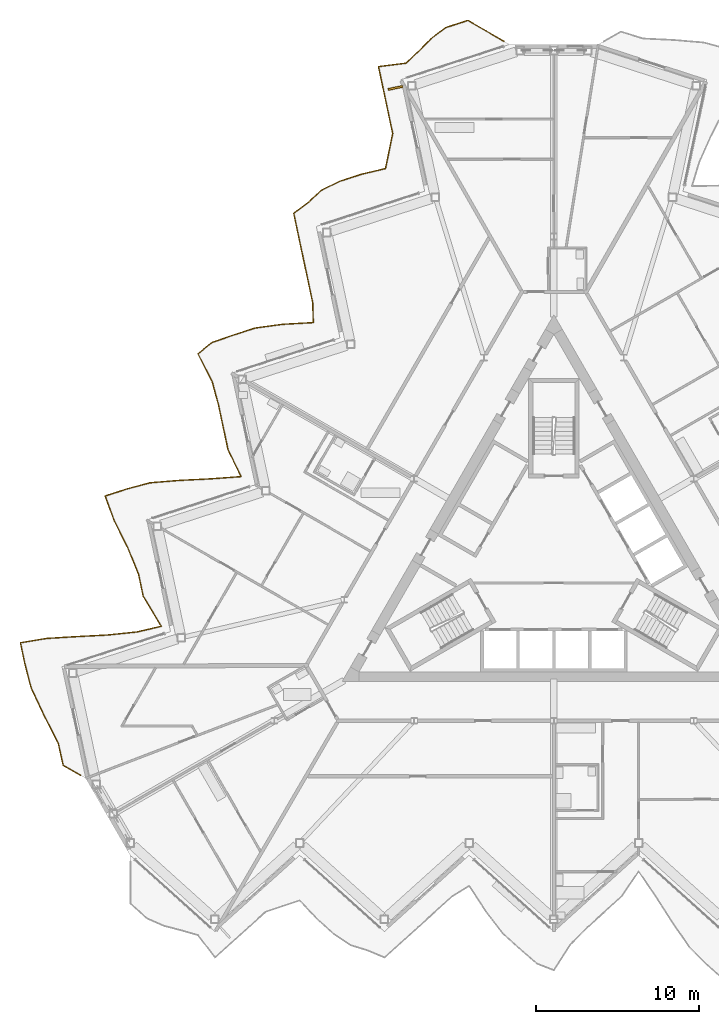
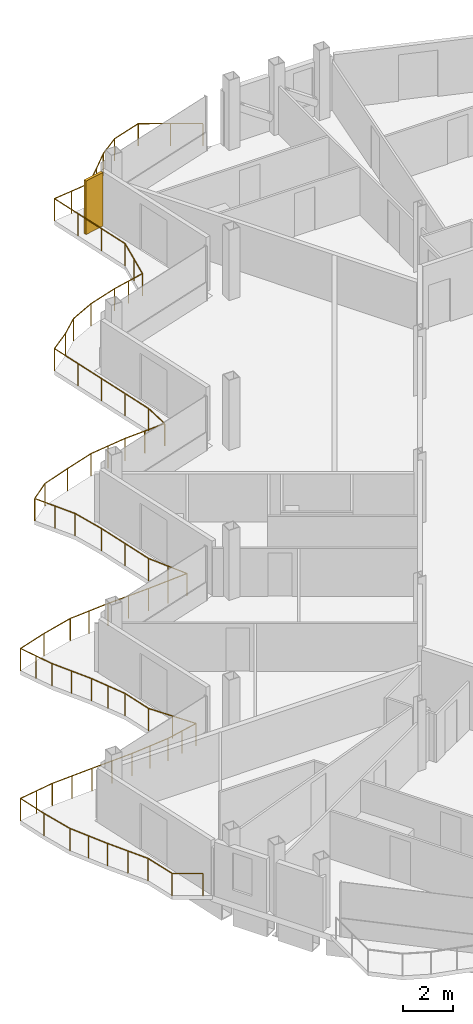
# One storey, part 24 of 27: 1 railing, 1 shading device.
"""IFC4 building model written with IfcOpenShell, lengths in metres."""

from ifc_helpers import new_model, si_unit, direction, frame, origin, origin_2d, place, context, subcontext, project, spatial, rectangle, circle, extrude, material, layer, layer_set, type_object, element, save


model = new_model("IFC4")

# Units and contexts
model_context = context("Model", 3, precision=1e-05, world=origin(), true_north=direction((0.0, 1.0)))
body_context = subcontext(model_context, "Body", "Model", "MODEL_VIEW")
ifc_project = project(units=[si_unit("LENGTHUNIT", "METRE"), si_unit("AREAUNIT", "SQUARE_METRE"), si_unit("VOLUMEUNIT", "CUBIC_METRE"), si_unit("PLANEANGLEUNIT", "RADIAN"), si_unit("MASSUNIT", "GRAM", prefix="KILO")], contexts=[model_context])

# Site, building, storey
site_placement = place(None, origin())
site = spatial("IfcSite", under=ifc_project, at=site_placement, CompositionType="ELEMENT")
building_placement = place(site_placement, origin())
building = spatial("IfcBuilding", under=site, at=building_placement, Name="Cormorant Prow Tower", CompositionType="ELEMENT")
storey_placement = place(building_placement, frame((0.0, 0.0, 361.0)))
storey = spatial("IfcBuildingStorey", under=building, at=storey_placement, Name="L80", CompositionType="ELEMENT", Elevation=361.0)

# Railing
ifc_material_1 = material(Name="Aluminium 6063-T6", Category="aluminium")
railing_type = type_object("IfcRailingType", Name="Balcony guard 1100", PredefinedType="GUARDRAIL", material=ifc_material_1)
railing_placement = place(storey_placement, frame((-3.0537109375, 31.785400390625, 0.0)))
element("IfcRailing", 1, at=railing_placement, inside=storey, type_object=railing_type, Name="Balcony guard WNW", PredefinedType="GUARDRAIL", context=body_context, shape_type="SweptSolid", body=[
    extrude(circle(Radius=0.02392578125, at=origin_2d()), frame((0.0, 0.0, 1.076171875), z_axis=(-0.866054294558, 0.499949956374, 0.0), x_axis=(-0.499949956374, -0.866054294558, 0.0)), (0.0, 0.0, 1.0), 2.570068359375),
    extrude(circle(Radius=0.02392578125, at=origin_2d()), frame((-2.225830078125, 1.284912109375, 1.076171875), z_axis=(-0.951080208938, -0.308944066403, 0.0), x_axis=(0.308944066403, -0.951080208938, 0.0)), (0.0, 0.0, 1.0), 1.3994140625),
    extrude(circle(Radius=0.02392578125, at=origin_2d()), frame((-3.556884765625, 0.8525390625, 1.076171875), z_axis=(-0.804801624168, -0.59354388695, 0.0), x_axis=(0.59354388695, -0.804801624168, 0.0)), (0.0, 0.0, 1.0), 1.134765625),
    extrude(circle(Radius=0.02392578125, at=origin_2d()), frame((-4.47021484375, 0.178955078125, 1.076171875), z_axis=(-0.702320726379, -0.711860658626, 0.0), x_axis=(0.711860658626, -0.702320726379, 0.0)), (0.0, 0.0, 1.0), 1.074951171875),
    extrude(circle(Radius=0.02392578125, at=origin_2d()), frame((-5.22509765625, -0.586181640625, 1.076171875), z_axis=(-0.720399511694, -0.693559329511, 0.0), x_axis=(0.693559329511, -0.720399511694, 0.0)), (0.0, 0.0, 1.0), 1.08251953125),
    extrude(circle(Radius=0.02392578125, at=origin_2d()), frame((-6.0048828125, -1.3369140625, 1.076171875), z_axis=(-0.99213308719, -0.125187608427, 0.0), x_axis=(0.125187608427, -0.99213308719, 0.0)), (0.0, 0.0, 1.0), 1.719970703125),
    extrude(circle(Radius=0.02392578125, at=origin_2d()), frame((-7.71142578125, -1.55224609375, 1.076171875), z_axis=(0.207944297815, -0.978140669335, 0.0), x_axis=(0.978140669335, 0.207944297815, 0.0)), (0.0, 0.0, 1.0), 1.3994140625),
    extrude(circle(Radius=0.02392578125, at=origin_2d()), frame((-7.42041015625, -2.921142578125, 1.076171875), z_axis=(0.20777738218, -0.978176139279, 0.0), x_axis=(0.978176139279, 0.20777738218, 0.0)), (0.0, 0.0, 1.0), 1.3994140625),
    extrude(circle(Radius=0.02392578125, at=origin_2d()), frame((-7.129638671875, -4.2900390625, 1.076171875), z_axis=(0.207944297815, -0.978140669335, 0.0), x_axis=(0.978140669335, 0.207944297815, 0.0)), (0.0, 0.0, 1.0), 1.3994140625),
    extrude(circle(Radius=0.02392578125, at=origin_2d()), frame((-6.838623046875, -5.658935546875, 1.076171875), z_axis=(-0.200182501189, -0.979758626508, 0.0), x_axis=(0.979758626508, -0.200182501189, 0.0)), (0.0, 0.0, 1.0), 1.096435546875),
    extrude(circle(Radius=0.02392578125, at=origin_2d()), frame((-7.05810546875, -6.733154296875, 1.076171875), z_axis=(-0.202841463281, -0.979211591421, 0.0), x_axis=(0.979211591421, -0.202841463281, 0.0)), (0.0, 0.0, 1.0), 1.09521484375),
    extrude(circle(Radius=0.02392578125, at=origin_2d()), frame((-7.2802734375, -7.8056640625, 1.076171875), z_axis=(-0.97323960179, -0.229792683756, 0.0), x_axis=(0.229792683756, -0.97323960179, 0.0)), (0.0, 0.0, 1.0), 1.51708984375),
    extrude(circle(Radius=0.02392578125, at=origin_2d()), frame((-8.7568359375, -8.154296875, 1.076171875), z_axis=(-0.951063554534, -0.308995332064, 0.0), x_axis=(0.308995332064, -0.951063554534, 0.0)), (0.0, 0.0, 1.0), 1.399169921875),
    extrude(circle(Radius=0.02392578125, at=origin_2d()), frame((-10.087646484375, -8.586669921875, 1.076171875), z_axis=(-0.89859250698, -0.438784122776, 0.0), x_axis=(0.438784122776, -0.89859250698, 0.0)), (0.0, 0.0, 1.0), 1.254150390625),
    extrude(circle(Radius=0.02392578125, at=origin_2d()), frame((-11.214599609375, -9.136962890625, 1.076171875), z_axis=(-0.733400296021, -0.679797032795, 0.0), x_axis=(0.679797032795, -0.733400296021, 0.0)), (0.0, 0.0, 1.0), 1.088623046875),
    extrude(circle(Radius=0.02392578125, at=origin_2d()), frame((-12.012939453125, -9.876953125, 1.076171875), z_axis=(-0.796454037439, -0.604699070817, 0.0), x_axis=(0.604699070817, -0.796454037439, 0.0)), (0.0, 0.0, 1.0), 1.1279296875),
    extrude(circle(Radius=0.02392578125, at=origin_2d()), frame((-12.911376953125, -10.55908203125, 1.076171875), z_axis=(0.20777738218, -0.978176139279, 0.0), x_axis=(0.978176139279, 0.20777738218, 0.0)), (0.0, 0.0, 1.0), 1.3994140625),
    extrude(circle(Radius=0.02392578125, at=origin_2d()), frame((-12.62060546875, -11.927978515625, 1.076171875), z_axis=(0.207944297815, -0.978140669335, 0.0), x_axis=(0.978140669335, 0.207944297815, 0.0)), (0.0, 0.0, 1.0), 1.3994140625),
    extrude(circle(Radius=0.02392578125, at=origin_2d()), frame((-12.32958984375, -13.296875, 1.076171875), z_axis=(0.207979786632, -0.978133124044, 0.0), x_axis=(0.978133124044, 0.207979786632, 0.0)), (0.0, 0.0, 1.0), 1.399169921875),
    extrude(circle(Radius=0.02392578125, at=origin_2d()), frame((-12.03857421875, -14.66552734375, 1.076171875), z_axis=(0.207944297815, -0.978140669335, 0.0), x_axis=(0.978140669335, 0.207944297815, 0.0)), (0.0, 0.0, 1.0), 1.3994140625),
    extrude(circle(Radius=0.02392578125, at=origin_2d()), frame((-11.74755859375, -16.034423828125, 1.076171875), z_axis=(0.029164247881, -0.999574632854, 0.0), x_axis=(0.999574632854, 0.029164247881, 0.0)), (0.0, 0.0, 1.0), 1.22216796875),
    extrude(circle(Radius=0.02392578125, at=origin_2d()), frame((-11.7119140625, -17.256103515625, 1.076171875), z_axis=(-0.998450849309, -0.055640825965, 0.0), x_axis=(0.055640825965, -0.998450849309, 0.0)), (0.0, 0.0, 1.0), 1.89990234375),
    extrude(circle(Radius=0.02392578125, at=origin_2d()), frame((-13.60888671875, -17.36181640625, 1.076171875), z_axis=(-0.990629196812, -0.136578894499, 0.0), x_axis=(0.136578894499, -0.990629196812, 0.0)), (0.0, 0.0, 1.0), 1.694580078125),
    extrude(circle(Radius=0.02392578125, at=origin_2d()), frame((-15.28759765625, -17.59326171875, 1.076171875), z_axis=(-0.951028941009, -0.309101849499, 0.0), x_axis=(0.309101849499, -0.951028941009, 0.0)), (0.0, 0.0, 1.0), 1.399658203125),
    extrude(circle(Radius=0.02392578125, at=origin_2d()), frame((-16.61865234375, -18.02587890625, 1.076171875), z_axis=(-0.945112539636, -0.326744988365, 0.0), x_axis=(0.326744988365, -0.945112539636, 0.0)), (0.0, 0.0, 1.0), 1.376220703125),
    extrude(circle(Radius=0.02392578125, at=origin_2d()), frame((-17.91943359375, -18.4755859375, 1.076171875), z_axis=(-0.780569996604, -0.625068380581, 0.0), x_axis=(0.625068380581, -0.780569996604, 0.0)), (0.0, 0.0, 1.0), 1.1162109375),
    extrude(circle(Radius=0.02392578125, at=origin_2d()), frame((-18.790771484375, -19.17333984375, 1.076171875), z_axis=(0.455957097579, -0.89000175571, 0.0), x_axis=(0.89000175571, 0.455957097579, 0.0)), (0.0, 0.0, 1.0), 1.916259765625),
    extrude(circle(Radius=0.02392578125, at=origin_2d()), frame((-17.9169921875, -20.87890625, 1.076171875), z_axis=(0.262445676489, -0.964946768942, 0.0), x_axis=(0.964946768942, 0.262445676489, 0.0)), (0.0, 0.0, 1.0), 1.476318359375),
    extrude(circle(Radius=0.02392578125, at=origin_2d()), frame((-17.529541015625, -22.303466796875, 1.076171875), z_axis=(0.207944297815, -0.978140669335, 0.0), x_axis=(0.978140669335, 0.207944297815, 0.0)), (0.0, 0.0, 1.0), 1.3994140625),
    extrude(circle(Radius=0.02392578125, at=origin_2d()), frame((-17.238525390625, -23.67236328125, 1.076171875), z_axis=(0.207944297815, -0.978140669335, 0.0), x_axis=(0.978140669335, 0.207944297815, 0.0)), (0.0, 0.0, 1.0), 1.3994140625),
    extrude(circle(Radius=0.02392578125, at=origin_2d()), frame((-16.947509765625, -25.041259765625, 1.076171875), z_axis=(0.434050139504, -0.900888714768, 0.0), x_axis=(0.900888714768, 0.434050139504, 0.0)), (0.0, 0.0, 1.0), 1.8466796875),
    extrude(circle(Radius=0.02392578125, at=origin_2d()), frame((-16.14599609375, -26.704833984375, 1.076171875), z_axis=(-0.997226846188, -0.074421886851, 0.0), x_axis=(0.074421886851, -0.997226846188, 0.0)), (0.0, 0.0, 1.0), 1.846923828125),
    extrude(circle(Radius=0.02392578125, at=origin_2d()), frame((-17.98779296875, -26.84228515625, 1.076171875), z_axis=(-0.998814010326, -0.048688528186, 0.0), x_axis=(0.048688528186, -0.998814010326, 0.0)), (0.0, 0.0, 1.0), 1.92041015625),
    extrude(circle(Radius=0.02392578125, at=origin_2d()), frame((-19.906005859375, -26.935791015625, 1.076171875), z_axis=(-0.996663580722, -0.081619279965, 0.0), x_axis=(0.081619279965, -0.996663580722, 0.0)), (0.0, 0.0, 1.0), 1.82763671875),
    extrude(circle(Radius=0.02392578125, at=origin_2d()), frame((-21.7275390625, -27.0849609375, 1.076171875), z_axis=(-0.966124737958, -0.25807555232, 0.0), x_axis=(0.25807555232, -0.966124737958, 0.0)), (0.0, 0.0, 1.0), 1.471923828125),
    extrude(circle(Radius=0.02392578125, at=origin_2d()), frame((-23.149658203125, -27.46484375, 1.076171875), z_axis=(-0.951063554534, -0.308995332064, 0.0), x_axis=(0.308995332064, -0.951063554534, 0.0)), (0.0, 0.0, 1.0), 1.399169921875),
    extrude(circle(Radius=0.02392578125, at=origin_2d()), frame((-24.48046875, -27.897216796875, 1.076171875), z_axis=(0.34360420379, -0.939114556983, 0.0), x_axis=(0.939114556983, 0.34360420379, 0.0)), (0.0, 0.0, 1.0), 1.621337890625),
    extrude(circle(Radius=0.02392578125, at=origin_2d()), frame((-23.92333984375, -29.419921875, 1.076171875), z_axis=(0.446124838976, -0.894970741448, 0.0), x_axis=(0.894970741448, 0.446124838976, 0.0)), (0.0, 0.0, 1.0), 1.88427734375),
    extrude(circle(Radius=0.02392578125, at=origin_2d()), frame((-23.082763671875, -31.106201171875, 1.076171875), z_axis=(0.379080263311, -0.925363795471, 0.0), x_axis=(0.925363795471, 0.379080263311, 0.0)), (0.0, 0.0, 1.0), 1.69970703125),
    extrude(circle(Radius=0.02392578125, at=origin_2d()), frame((-22.4384765625, -32.678955078125, 1.076171875), z_axis=(0.20777738218, -0.978176139279, 0.0), x_axis=(0.978176139279, 0.20777738218, 0.0)), (0.0, 0.0, 1.0), 1.3994140625),
    extrude(circle(Radius=0.02392578125, at=origin_2d()), frame((-22.147705078125, -34.0478515625, 1.076171875), z_axis=(0.517060283894, -0.855948983772, 0.0), x_axis=(0.855948983772, 0.517060283894, 0.0)), (0.0, 0.0, 1.0), 2.154052734375),
    extrude(circle(Radius=0.02392578125, at=origin_2d()), frame((-21.033935546875, -35.8916015625, 1.076171875), z_axis=(-0.974329089655, -0.225128463444, 0.0), x_axis=(0.225128463444, -0.974329089655, 0.0)), (0.0, 0.0, 1.0), 1.524658203125),
    extrude(circle(Radius=0.02392578125, at=origin_2d()), frame((-22.51953125, -36.23486328125, 1.076171875), z_axis=(-0.994481221063, -0.104914731817, 0.0), x_axis=(0.104914731817, -0.994481221063, 0.0)), (0.0, 0.0, 1.0), 1.7685546875),
    extrude(circle(Radius=0.02392578125, at=origin_2d()), frame((-24.2783203125, -36.42041015625, 1.076171875), z_axis=(-0.99861712254, -0.052572260454, 0.0), x_axis=(0.052572260454, -0.99861712254, 0.0)), (0.0, 0.0, 1.0), 1.90869140625),
    extrude(circle(Radius=0.02392578125, at=origin_2d()), frame((-26.184326171875, -36.520751953125, 1.076171875), z_axis=(-0.998205000127, -0.059889712979, 0.0), x_axis=(0.059889712979, -0.998205000127, 0.0)), (0.0, 0.0, 1.0), 1.887451171875),
    extrude(circle(Radius=0.02392578125, at=origin_2d()), frame((-28.068359375, -36.6337890625, 1.076171875), z_axis=(-0.986240118532, -0.165319171898, 0.0), x_axis=(0.165319171898, -0.986240118532, 0.0)), (0.0, 0.0, 1.0), 1.634765625),
    extrude(circle(Radius=0.02392578125, at=origin_2d()), frame((-29.6806640625, -36.904052734375, 1.076171875), z_axis=(0.207944297815, -0.978140669335, 0.0), x_axis=(0.978140669335, 0.207944297815, 0.0)), (0.0, 0.0, 1.0), 1.3994140625),
    extrude(circle(Radius=0.02392578125, at=origin_2d()), frame((-29.3896484375, -38.27294921875, 1.076171875), z_axis=(0.253128724865, -0.967432606773, 0.0), x_axis=(0.967432606773, 0.253128724865, 0.0)), (0.0, 0.0, 1.0), 1.462158203125),
    extrude(circle(Radius=0.02392578125, at=origin_2d()), frame((-29.01953125, -39.6875, 1.076171875), z_axis=(0.425868001193, -0.904785303572, 0.0), x_axis=(0.904785303572, 0.425868001193, 0.0)), (0.0, 0.0, 1.0), 1.822509765625),
    extrude(circle(Radius=0.02392578125, at=origin_2d()), frame((-28.243408203125, -41.33642578125, 1.076171875), z_axis=(0.457103792103, -0.889413359043, 0.0), x_axis=(0.889413359043, 0.457103792103, 0.0)), (0.0, 0.0, 1.0), 1.920166015625),
    extrude(circle(Radius=0.02392578125, at=origin_2d()), frame((-27.36572265625, -43.044189453125, 1.076171875), z_axis=(0.218685934883, -0.975795297121, 0.0), x_axis=(0.975795297121, 0.218685934883, 0.0)), (0.0, 0.0, 1.0), 1.413330078125),
    extrude(circle(Radius=0.02392578125, at=origin_2d()), frame((-27.056640625, -44.42333984375, 1.076171875), z_axis=(0.866005645448, -0.500034220881, 0.0), x_axis=(0.500034220881, 0.866005645448, 0.0)), (0.0, 0.0, 1.0), 1.22021484375),
    extrude(circle(Radius=0.02099609375, at=origin_2d()), origin(), (0.0, 0.0, 1.0), 1.052001953125),
    extrude(circle(Radius=0.02099609375, at=origin_2d()), frame((-1.11279296875, 0.642578125, 0.0)), (0.0, 0.0, 1.0), 1.052001953125),
    extrude(circle(Radius=0.02099609375, at=origin_2d()), frame((-2.225830078125, 1.284912109375, 0.0)), (0.0, 0.0, 1.0), 1.052001953125),
    extrude(circle(Radius=0.02099609375, at=origin_2d()), frame((-3.556884765625, 0.8525390625, 0.0)), (0.0, 0.0, 1.0), 1.052001953125),
    extrude(circle(Radius=0.02099609375, at=origin_2d()), frame((-4.47021484375, 0.178955078125, 0.0)), (0.0, 0.0, 1.0), 1.052001953125),
    extrude(circle(Radius=0.02099609375, at=origin_2d()), frame((-5.22509765625, -0.586181640625, 0.0)), (0.0, 0.0, 1.0), 1.052001953125),
    extrude(circle(Radius=0.02099609375, at=origin_2d()), frame((-6.0048828125, -1.3369140625, 0.0)), (0.0, 0.0, 1.0), 1.052001953125),
    extrude(circle(Radius=0.02099609375, at=origin_2d()), frame((-6.858154296875, -1.444580078125, 0.0)), (0.0, 0.0, 1.0), 1.052001953125),
    extrude(circle(Radius=0.02099609375, at=origin_2d()), frame((-7.71142578125, -1.55224609375, 0.0)), (0.0, 0.0, 1.0), 1.052001953125),
    extrude(circle(Radius=0.02099609375, at=origin_2d()), frame((-7.42041015625, -2.921142578125, 0.0)), (0.0, 0.0, 1.0), 1.052001953125),
    extrude(circle(Radius=0.02099609375, at=origin_2d()), frame((-7.129638671875, -4.2900390625, 0.0)), (0.0, 0.0, 1.0), 1.052001953125),
    extrude(circle(Radius=0.02099609375, at=origin_2d()), frame((-6.838623046875, -5.658935546875, 0.0)), (0.0, 0.0, 1.0), 1.052001953125),
    extrude(circle(Radius=0.02099609375, at=origin_2d()), frame((-7.05810546875, -6.733154296875, 0.0)), (0.0, 0.0, 1.0), 1.052001953125),
    extrude(circle(Radius=0.02099609375, at=origin_2d()), frame((-7.2802734375, -7.8056640625, 0.0)), (0.0, 0.0, 1.0), 1.052001953125),
    extrude(circle(Radius=0.02099609375, at=origin_2d()), frame((-8.0185546875, -7.97998046875, 0.0)), (0.0, 0.0, 1.0), 1.052001953125),
    extrude(circle(Radius=0.02099609375, at=origin_2d()), frame((-8.7568359375, -8.154296875, 0.0)), (0.0, 0.0, 1.0), 1.052001953125),
    extrude(circle(Radius=0.02099609375, at=origin_2d()), frame((-10.087646484375, -8.586669921875, 0.0)), (0.0, 0.0, 1.0), 1.052001953125),
    extrude(circle(Radius=0.02099609375, at=origin_2d()), frame((-11.214599609375, -9.136962890625, 0.0)), (0.0, 0.0, 1.0), 1.052001953125),
    extrude(circle(Radius=0.02099609375, at=origin_2d()), frame((-12.012939453125, -9.876953125, 0.0)), (0.0, 0.0, 1.0), 1.052001953125),
    extrude(circle(Radius=0.02099609375, at=origin_2d()), frame((-12.911376953125, -10.55908203125, 0.0)), (0.0, 0.0, 1.0), 1.052001953125),
    extrude(circle(Radius=0.02099609375, at=origin_2d()), frame((-12.62060546875, -11.927978515625, 0.0)), (0.0, 0.0, 1.0), 1.052001953125),
    extrude(circle(Radius=0.02099609375, at=origin_2d()), frame((-12.32958984375, -13.296875, 0.0)), (0.0, 0.0, 1.0), 1.052001953125),
    extrude(circle(Radius=0.02099609375, at=origin_2d()), frame((-12.03857421875, -14.66552734375, 0.0)), (0.0, 0.0, 1.0), 1.052001953125),
    extrude(circle(Radius=0.02099609375, at=origin_2d()), frame((-11.74755859375, -16.034423828125, 0.0)), (0.0, 0.0, 1.0), 1.052001953125),
    extrude(circle(Radius=0.02099609375, at=origin_2d()), frame((-11.7119140625, -17.256103515625, 0.0)), (0.0, 0.0, 1.0), 1.052001953125),
    extrude(circle(Radius=0.02099609375, at=origin_2d()), frame((-12.660400390625, -17.30908203125, 0.0)), (0.0, 0.0, 1.0), 1.052001953125),
    extrude(circle(Radius=0.02099609375, at=origin_2d()), frame((-13.60888671875, -17.36181640625, 0.0)), (0.0, 0.0, 1.0), 1.052001953125),
    extrude(circle(Radius=0.02099609375, at=origin_2d()), frame((-14.4482421875, -17.4775390625, 0.0)), (0.0, 0.0, 1.0), 1.052001953125),
    extrude(circle(Radius=0.02099609375, at=origin_2d()), frame((-15.28759765625, -17.59326171875, 0.0)), (0.0, 0.0, 1.0), 1.052001953125),
    extrude(circle(Radius=0.02099609375, at=origin_2d()), frame((-16.61865234375, -18.02587890625, 0.0)), (0.0, 0.0, 1.0), 1.052001953125),
    extrude(circle(Radius=0.02099609375, at=origin_2d()), frame((-17.91943359375, -18.4755859375, 0.0)), (0.0, 0.0, 1.0), 1.052001953125),
    extrude(circle(Radius=0.02099609375, at=origin_2d()), frame((-18.790771484375, -19.17333984375, 0.0)), (0.0, 0.0, 1.0), 1.052001953125),
    extrude(circle(Radius=0.02099609375, at=origin_2d()), frame((-18.35400390625, -20.026123046875, 0.0)), (0.0, 0.0, 1.0), 1.052001953125),
    extrude(circle(Radius=0.02099609375, at=origin_2d()), frame((-17.9169921875, -20.87890625, 0.0)), (0.0, 0.0, 1.0), 1.052001953125),
    extrude(circle(Radius=0.02099609375, at=origin_2d()), frame((-17.529541015625, -22.303466796875, 0.0)), (0.0, 0.0, 1.0), 1.052001953125),
    extrude(circle(Radius=0.02099609375, at=origin_2d()), frame((-17.238525390625, -23.67236328125, 0.0)), (0.0, 0.0, 1.0), 1.052001953125),
    extrude(circle(Radius=0.02099609375, at=origin_2d()), frame((-16.947509765625, -25.041259765625, 0.0)), (0.0, 0.0, 1.0), 1.052001953125),
    extrude(circle(Radius=0.02099609375, at=origin_2d()), frame((-16.546875, -25.873046875, 0.0)), (0.0, 0.0, 1.0), 1.052001953125),
    extrude(circle(Radius=0.02099609375, at=origin_2d()), frame((-16.14599609375, -26.704833984375, 0.0)), (0.0, 0.0, 1.0), 1.052001953125),
    extrude(circle(Radius=0.02099609375, at=origin_2d()), frame((-17.06689453125, -26.7734375, 0.0)), (0.0, 0.0, 1.0), 1.052001953125),
    extrude(circle(Radius=0.02099609375, at=origin_2d()), frame((-17.98779296875, -26.84228515625, 0.0)), (0.0, 0.0, 1.0), 1.052001953125),
    extrude(circle(Radius=0.02099609375, at=origin_2d()), frame((-18.94677734375, -26.88916015625, 0.0)), (0.0, 0.0, 1.0), 1.052001953125),
    extrude(circle(Radius=0.02099609375, at=origin_2d()), frame((-19.906005859375, -26.935791015625, 0.0)), (0.0, 0.0, 1.0), 1.052001953125),
    extrude(circle(Radius=0.02099609375, at=origin_2d()), frame((-20.81689453125, -27.01025390625, 0.0)), (0.0, 0.0, 1.0), 1.052001953125),
    extrude(circle(Radius=0.02099609375, at=origin_2d()), frame((-21.7275390625, -27.0849609375, 0.0)), (0.0, 0.0, 1.0), 1.052001953125),
    extrude(circle(Radius=0.02099609375, at=origin_2d()), frame((-23.149658203125, -27.46484375, 0.0)), (0.0, 0.0, 1.0), 1.052001953125),
    extrude(circle(Radius=0.02099609375, at=origin_2d()), frame((-24.48046875, -27.897216796875, 0.0)), (0.0, 0.0, 1.0), 1.052001953125),
    extrude(circle(Radius=0.02099609375, at=origin_2d()), frame((-24.201904296875, -28.65869140625, 0.0)), (0.0, 0.0, 1.0), 1.052001953125),
    extrude(circle(Radius=0.02099609375, at=origin_2d()), frame((-23.92333984375, -29.419921875, 0.0)), (0.0, 0.0, 1.0), 1.052001953125),
    extrude(circle(Radius=0.02099609375, at=origin_2d()), frame((-23.5029296875, -30.26318359375, 0.0)), (0.0, 0.0, 1.0), 1.052001953125),
    extrude(circle(Radius=0.02099609375, at=origin_2d()), frame((-23.082763671875, -31.106201171875, 0.0)), (0.0, 0.0, 1.0), 1.052001953125),
    extrude(circle(Radius=0.02099609375, at=origin_2d()), frame((-22.7607421875, -31.892578125, 0.0)), (0.0, 0.0, 1.0), 1.052001953125),
    extrude(circle(Radius=0.02099609375, at=origin_2d()), frame((-22.4384765625, -32.678955078125, 0.0)), (0.0, 0.0, 1.0), 1.052001953125),
    extrude(circle(Radius=0.02099609375, at=origin_2d()), frame((-22.147705078125, -34.0478515625, 0.0)), (0.0, 0.0, 1.0), 1.052001953125),
    extrude(circle(Radius=0.02099609375, at=origin_2d()), frame((-21.5908203125, -34.9697265625, 0.0)), (0.0, 0.0, 1.0), 1.052001953125),
    extrude(circle(Radius=0.02099609375, at=origin_2d()), frame((-21.033935546875, -35.8916015625, 0.0)), (0.0, 0.0, 1.0), 1.052001953125),
    extrude(circle(Radius=0.02099609375, at=origin_2d()), frame((-21.77685546875, -36.063232421875, 0.0)), (0.0, 0.0, 1.0), 1.052001953125),
    extrude(circle(Radius=0.02099609375, at=origin_2d()), frame((-22.51953125, -36.23486328125, 0.0)), (0.0, 0.0, 1.0), 1.052001953125),
    extrude(circle(Radius=0.02099609375, at=origin_2d()), frame((-23.39892578125, -36.32763671875, 0.0)), (0.0, 0.0, 1.0), 1.052001953125),
    extrude(circle(Radius=0.02099609375, at=origin_2d()), frame((-24.2783203125, -36.42041015625, 0.0)), (0.0, 0.0, 1.0), 1.052001953125),
    extrude(circle(Radius=0.02099609375, at=origin_2d()), frame((-25.2314453125, -36.470703125, 0.0)), (0.0, 0.0, 1.0), 1.052001953125),
    extrude(circle(Radius=0.02099609375, at=origin_2d()), frame((-26.184326171875, -36.520751953125, 0.0)), (0.0, 0.0, 1.0), 1.052001953125),
    extrude(circle(Radius=0.02099609375, at=origin_2d()), frame((-27.12646484375, -36.5771484375, 0.0)), (0.0, 0.0, 1.0), 1.052001953125),
    extrude(circle(Radius=0.02099609375, at=origin_2d()), frame((-28.068359375, -36.6337890625, 0.0)), (0.0, 0.0, 1.0), 1.052001953125),
    extrude(circle(Radius=0.02099609375, at=origin_2d()), frame((-28.87451171875, -36.76904296875, 0.0)), (0.0, 0.0, 1.0), 1.052001953125),
    extrude(circle(Radius=0.02099609375, at=origin_2d()), frame((-29.6806640625, -36.904052734375, 0.0)), (0.0, 0.0, 1.0), 1.052001953125),
    extrude(circle(Radius=0.02099609375, at=origin_2d()), frame((-29.3896484375, -38.27294921875, 0.0)), (0.0, 0.0, 1.0), 1.052001953125),
    extrude(circle(Radius=0.02099609375, at=origin_2d()), frame((-29.01953125, -39.6875, 0.0)), (0.0, 0.0, 1.0), 1.052001953125),
    extrude(circle(Radius=0.02099609375, at=origin_2d()), frame((-28.63134765625, -40.511962890625, 0.0)), (0.0, 0.0, 1.0), 1.052001953125),
    extrude(circle(Radius=0.02099609375, at=origin_2d()), frame((-28.243408203125, -41.33642578125, 0.0)), (0.0, 0.0, 1.0), 1.052001953125),
    extrude(circle(Radius=0.02099609375, at=origin_2d()), frame((-27.8046875, -42.1904296875, 0.0)), (0.0, 0.0, 1.0), 1.052001953125),
    extrude(circle(Radius=0.02099609375, at=origin_2d()), frame((-27.36572265625, -43.044189453125, 0.0)), (0.0, 0.0, 1.0), 1.052001953125),
    extrude(circle(Radius=0.02099609375, at=origin_2d()), frame((-27.056640625, -44.42333984375, 0.0)), (0.0, 0.0, 1.0), 1.052001953125),
    extrude(circle(Radius=0.02099609375, at=origin_2d()), frame((-26.0, -45.033447265625, 0.0)), (0.0, 0.0, 1.0), 1.052001953125),
])

# Shading device
ifc_material_2 = material(Name="Terracotta", Category="masonry")
ifc_layer = layer(ifc_material_2, 0.1201171875)
ifc_layer_set = layer_set([ifc_layer], Name="Terracotta")
shading_device_type = type_object("IfcShadingDeviceType", Name="Terracotta baguette fin 120x900x2600", PredefinedType="USERDEFINED", material=ifc_layer_set)
shading_device_placement = place(storey_placement, frame((-9.731201171875, 28.9228515625, 0.0), z_axis=(0.0, 0.0, 1.0), x_axis=(0.207911756835, -0.978147586701, 0.0)))
element("IfcShadingDevice", 2, at=shading_device_placement, inside=storey, type_object=shading_device_type, Name="Baguette fin WNW01", ObjectType="BAGUETTE", PredefinedType="USERDEFINED", context=body_context, shape_type="SweptSolid", body=[
    extrude(rectangle(XDim=0.1201171875, YDim=0.89990234375, at=origin_2d()), origin(), (0.0, 0.0, 1.0), 2.60009765625),
])

save(model, "model.ifc")
